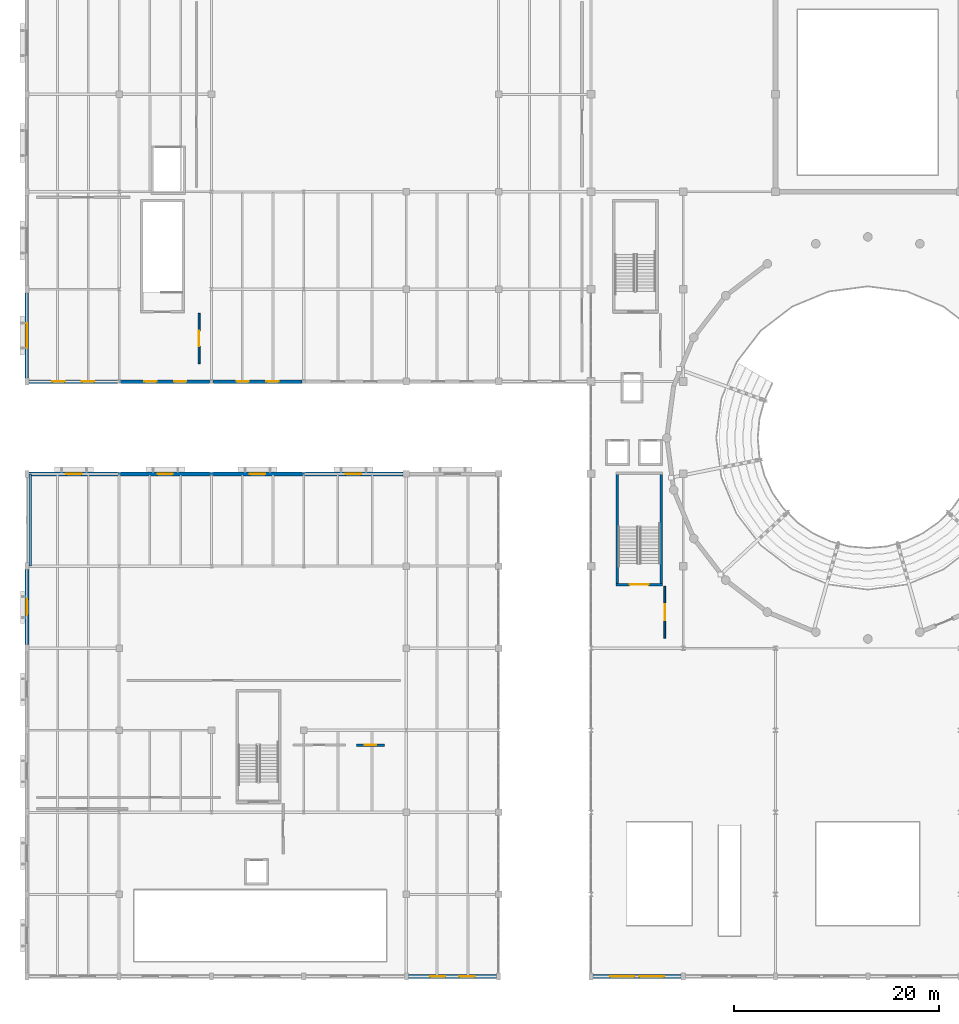
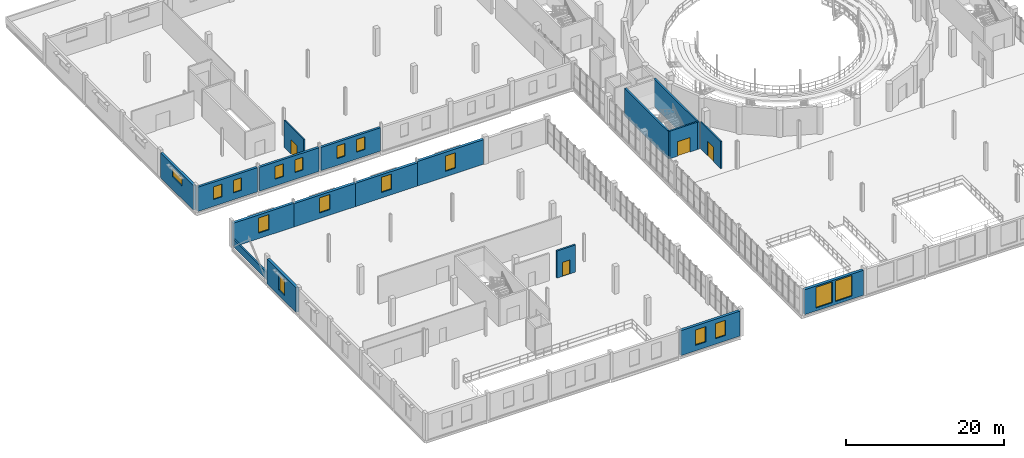
# One storey, part 62 of 85: 18 walls, 16 windows, 4 doors, 20 openings.
"""IFC4 building model written with IfcOpenShell, lengths in metres."""

from ifc_helpers import new_model, si_unit, direction, frame, frame_2d, origin, place, context, subcontext, project, spatial, rectangle, extrude, material, layer, layer_set, type_object, element, fill, save


model = new_model("IFC4")

# Units and contexts
model_context = context("Model", 3, precision=1e-05, world=origin(), true_north=direction((0.0, 1.0)))
body_context = subcontext(model_context, "Body", "Model", "MODEL_VIEW")
ifc_project = project(units=[si_unit("LENGTHUNIT", "METRE"), si_unit("AREAUNIT", "SQUARE_METRE"), si_unit("VOLUMEUNIT", "CUBIC_METRE"), si_unit("PLANEANGLEUNIT", "RADIAN"), si_unit("MASSUNIT", "GRAM", prefix="KILO")], contexts=[model_context])

# Site, building, storey
site_placement = place(None, origin())
site = spatial("IfcSite", under=ifc_project, at=site_placement, CompositionType="ELEMENT")
building_placement = place(site_placement, origin())
building = spatial("IfcBuilding", under=site, at=building_placement, Name="Marnock Terrace Opera House", CompositionType="ELEMENT")
storey_placement = place(building_placement, frame((0.0, 0.0, 10.199951171875)))
storey = spatial("IfcBuildingStorey", under=building, at=storey_placement, Name="L02", CompositionType="ELEMENT", Elevation=10.199951171875)

# Wall, openings, windows
ifc_material_1 = material(Name="Basket Range sandstone ashlar masonry", Category="masonry")
ifc_layer_1 = layer(ifc_material_1, 0.389892578125)
ifc_layer_set_1 = layer_set([ifc_layer_1], Name="Basket Range sandstone ashlar masonry")
wall_type_1 = type_object("IfcWallType", Name="EW-ASHLAR-390", PredefinedType="SOLIDWALL", material=ifc_layer_set_1)
wall_1_placement = place(storey_placement, frame((37.196044921875, 8.0, 0.0), z_axis=(0.0, 0.0, 1.0), x_axis=(1.0, 0.0, 0.0)))
wall_1 = element("IfcWall", 1, at=wall_1_placement, inside=storey, type_object=wall_type_1, Name="L02 Volume 3 south sandstone wall 5", PredefinedType="SOLIDWALL", context=body_context, shape_type="SweptSolid", body=[
    extrude(rectangle(XDim=8.60791015625, YDim=0.389892578125, at=frame_2d((4.303955078125, 0.0))), origin(), (0.0, 0.0, 1.0), 3.8515625),
])
opening_1_placement = place(wall_1_placement, frame((2.119384765625, 0.0, 0.85009765625)))
opening_1 = element("IfcOpeningElement", 2, at=opening_1_placement, cuts=wall_1, Name="Opening WT-84", PredefinedType="OPENING", context=body_context, shape_type="SweptSolid", body=[
    extrude(rectangle(XDim=1.5, YDim=2.35009765625, at=frame_2d((0.75, 1.175048828125))), frame((0.0, 0.204833984375, 0.0), z_axis=(0.0, -1.0, 0.0), x_axis=(1.0, 0.0, 0.0)), (0.0, 0.0, 1.0), 0.409912109375),
])
opening_2_placement = place(wall_1_placement, frame((4.98876953125, 0.0, 0.85009765625)))
opening_2 = element("IfcOpeningElement", 3, at=opening_2_placement, cuts=wall_1, Name="Opening WT-84", PredefinedType="OPENING", context=body_context, shape_type="SweptSolid", body=[
    extrude(rectangle(XDim=1.5, YDim=2.35009765625, at=frame_2d((0.75, 1.175048828125))), frame((0.0, 0.204833984375, 0.0), z_axis=(0.0, -1.0, 0.0), x_axis=(1.0, 0.0, 0.0)), (0.0, 0.0, 1.0), 0.409912109375),
])
ifc_material_2 = material(Name="Double-glazed acoustic low-E laminated glass", Category="glass")
window_type_1 = type_object("IfcWindowType", Name="WT-SUITE-1500", PartitioningType="SINGLE_PANEL", PredefinedType="WINDOW", material=ifc_material_2)
window_1_placement = place(opening_1_placement, origin())
window_1 = element("IfcWindow", 4, at=window_1_placement, inside=storey, type_object=window_type_1, Name="L02 facade window EW-V3S-L02-5.1", OverallHeight=2.35009765625, OverallWidth=1.5, PartitioningType="SINGLE_PANEL", PredefinedType="WINDOW", context=body_context, shape_type="SweptSolid", body=[
    extrude(rectangle(XDim=1.5, YDim=2.35009765625, at=frame_2d((0.75, 1.175048828125))), frame((0.0, 0.030029296875, 0.0), z_axis=(0.0, -1.0, 0.0), x_axis=(1.0, 0.0, 0.0)), (0.0, 0.0, 1.0), 0.06005859375),
])
fill(opening_1, window_1)
window_2_placement = place(opening_2_placement, origin())
window_2 = element("IfcWindow", 5, at=window_2_placement, inside=storey, type_object=window_type_1, Name="L02 facade window EW-V3S-L02-5.2", OverallHeight=2.35009765625, OverallWidth=1.5, PartitioningType="SINGLE_PANEL", PredefinedType="WINDOW", context=body_context, shape_type="SweptSolid", body=[
    extrude(rectangle(XDim=1.5, YDim=2.35009765625, at=frame_2d((0.75, 1.175048828125))), frame((0.0, 0.030029296875, 0.0), z_axis=(0.0, -1.0, 0.0), x_axis=(1.0, 0.0, 0.0)), (0.0, 0.0, 1.0), 0.06005859375),
])
fill(opening_2, window_2)

# Wall, opening, window
wall_2_placement = place(storey_placement, frame((0.0, 40.345947265625, 0.0), z_axis=(0.0, 0.0, 1.0), x_axis=(0.0, 1.0, 0.0)))
wall_2 = element("IfcWall", 6, at=wall_2_placement, inside=storey, type_object=wall_type_1, Name="L02 Volume 3 west sandstone wall 5", PredefinedType="SOLIDWALL", context=body_context, shape_type="SweptSolid", body=[
    extrude(rectangle(XDim=7.30810546875, YDim=0.389892578125, at=frame_2d((3.654052734375, 0.0))), origin(), (0.0, 0.0, 1.0), 3.841552734375),
])
opening_3_placement = place(wall_2_placement, frame((2.904052734375, 0.0, 0.85009765625)))
opening_3 = element("IfcOpeningElement", 7, at=opening_3_placement, cuts=wall_2, Name="Opening WT-84", PredefinedType="OPENING", context=body_context, shape_type="SweptSolid", body=[
    extrude(rectangle(XDim=1.5, YDim=2.35009765625, at=frame_2d((0.75, 1.175048828125))), frame((0.0, 0.204833984375, 0.0), z_axis=(0.0, -1.0, 0.0), x_axis=(1.0, 0.0, 0.0)), (0.0, 0.0, 1.0), 0.409912109375),
])
window_3_placement = place(opening_3_placement, origin())
window_3 = element("IfcWindow", 8, at=window_3_placement, inside=storey, type_object=window_type_1, Name="L02 facade window EW-V3W-L02-5.1", OverallHeight=2.35009765625, OverallWidth=1.5, PartitioningType="SINGLE_PANEL", PredefinedType="WINDOW", context=body_context, shape_type="SweptSolid", body=[
    extrude(rectangle(XDim=1.5, YDim=2.35009765625, at=frame_2d((0.75, 1.175048828125))), frame((0.0, 0.030029296875, 0.0), z_axis=(0.0, -1.0, 0.0), x_axis=(1.0, 0.0, 0.0)), (0.0, 0.0, 1.0), 0.06005859375),
])
fill(opening_3, window_3)

wall_3_placement = place(storey_placement, frame((0.196044921875, 57.0, 0.0), z_axis=(0.0, 0.0, 1.0), x_axis=(1.0, 0.0, 0.0)))
wall_3 = element("IfcWall", 9, at=wall_3_placement, inside=storey, type_object=wall_type_1, Name="L02 Volume 3 north sandstone wall 1", PredefinedType="SOLIDWALL", context=body_context, shape_type="SweptSolid", body=[
    extrude(rectangle(XDim=8.803955078125, YDim=0.389892578125, at=frame_2d((4.40185546875, 0.0))), origin(), (0.0, 0.0, 1.0), 3.6669921875),
])
opening_4_placement = place(wall_3_placement, frame((3.652099609375, 0.0, 0.85009765625)))
opening_4 = element("IfcOpeningElement", 10, at=opening_4_placement, cuts=wall_3, Name="Opening WT-84", PredefinedType="OPENING", context=body_context, shape_type="SweptSolid", body=[
    extrude(rectangle(XDim=1.5, YDim=2.35009765625, at=frame_2d((0.75, 1.175048828125))), frame((0.0, 0.204833984375, 0.0), z_axis=(0.0, -1.0, 0.0), x_axis=(1.0, 0.0, 0.0)), (0.0, 0.0, 1.0), 0.409912109375),
])
window_4_placement = place(opening_4_placement, origin())
window_4 = element("IfcWindow", 11, at=window_4_placement, inside=storey, type_object=window_type_1, Name="L02 facade window EW-V3N-L02-1.1", OverallHeight=2.35009765625, OverallWidth=1.5, PartitioningType="SINGLE_PANEL", PredefinedType="WINDOW", context=body_context, shape_type="SweptSolid", body=[
    extrude(rectangle(XDim=1.5, YDim=2.35009765625, at=frame_2d((0.75, 1.175048828125))), frame((0.0, 0.030029296875, 0.0), z_axis=(0.0, -1.0, 0.0), x_axis=(1.0, 0.0, 0.0)), (0.0, 0.0, 1.0), 0.06005859375),
])
fill(opening_4, window_4)

wall_4_placement = place(storey_placement, frame((9.0, 57.0, 0.0), z_axis=(0.0, 0.0, 1.0), x_axis=(1.0, 0.0, 0.0)))
wall_4 = element("IfcWall", 12, at=wall_4_placement, inside=storey, type_object=wall_type_1, Name="L02 Volume 3 north sandstone wall 2", PredefinedType="SOLIDWALL", context=body_context, shape_type="SweptSolid", body=[
    extrude(rectangle(XDim=9.0, YDim=0.389892578125, at=frame_2d((4.5, 0.0))), origin(), (0.0, 0.0, 1.0), 3.593017578125),
])
opening_5_placement = place(wall_4_placement, frame((3.75, 0.0, 0.85009765625)))
opening_5 = element("IfcOpeningElement", 13, at=opening_5_placement, cuts=wall_4, Name="Opening WT-84", PredefinedType="OPENING", context=body_context, shape_type="SweptSolid", body=[
    extrude(rectangle(XDim=1.5, YDim=2.35009765625, at=frame_2d((0.75, 1.175048828125))), frame((0.0, 0.204833984375, 0.0), z_axis=(0.0, -1.0, 0.0), x_axis=(1.0, 0.0, 0.0)), (0.0, 0.0, 1.0), 0.409912109375),
])
window_5_placement = place(opening_5_placement, origin())
window_5 = element("IfcWindow", 14, at=window_5_placement, inside=storey, type_object=window_type_1, Name="L02 facade window EW-V3N-L02-2.1", OverallHeight=2.35009765625, OverallWidth=1.5, PartitioningType="SINGLE_PANEL", PredefinedType="WINDOW", context=body_context, shape_type="SweptSolid", body=[
    extrude(rectangle(XDim=1.5, YDim=2.35009765625, at=frame_2d((0.75, 1.175048828125))), frame((0.0, 0.030029296875, 0.0), z_axis=(0.0, -1.0, 0.0), x_axis=(1.0, 0.0, 0.0)), (0.0, 0.0, 1.0), 0.06005859375),
])
fill(opening_5, window_5)

wall_5_placement = place(storey_placement, frame((18.0, 57.0, 0.0), z_axis=(0.0, 0.0, 1.0), x_axis=(1.0, 0.0, 0.0)))
wall_5 = element("IfcWall", 15, at=wall_5_placement, inside=storey, type_object=wall_type_1, Name="L02 Volume 3 north sandstone wall 3", PredefinedType="SOLIDWALL", context=body_context, shape_type="SweptSolid", body=[
    extrude(rectangle(XDim=9.0, YDim=0.389892578125, at=frame_2d((4.5, 0.0))), origin(), (0.0, 0.0, 1.0), 3.58837890625),
])
opening_6_placement = place(wall_5_placement, frame((3.75, 0.0, 0.85009765625)))
opening_6 = element("IfcOpeningElement", 16, at=opening_6_placement, cuts=wall_5, Name="Opening WT-84", PredefinedType="OPENING", context=body_context, shape_type="SweptSolid", body=[
    extrude(rectangle(XDim=1.5, YDim=2.35009765625, at=frame_2d((0.75, 1.175048828125))), frame((0.0, 0.204833984375, 0.0), z_axis=(0.0, -1.0, 0.0), x_axis=(1.0, 0.0, 0.0)), (0.0, 0.0, 1.0), 0.409912109375),
])
window_6_placement = place(opening_6_placement, origin())
window_6 = element("IfcWindow", 17, at=window_6_placement, inside=storey, type_object=window_type_1, Name="L02 facade window EW-V3N-L02-3.1", OverallHeight=2.35009765625, OverallWidth=1.5, PartitioningType="SINGLE_PANEL", PredefinedType="WINDOW", context=body_context, shape_type="SweptSolid", body=[
    extrude(rectangle(XDim=1.5, YDim=2.35009765625, at=frame_2d((0.75, 1.175048828125))), frame((0.0, 0.030029296875, 0.0), z_axis=(0.0, -1.0, 0.0), x_axis=(1.0, 0.0, 0.0)), (0.0, 0.0, 1.0), 0.06005859375),
])
fill(opening_6, window_6)

wall_6_placement = place(storey_placement, frame((27.0, 57.0, 0.0), z_axis=(0.0, 0.0, 1.0), x_axis=(1.0, 0.0, 0.0)))
wall_6 = element("IfcWall", 18, at=wall_6_placement, inside=storey, type_object=wall_type_1, Name="L02 Volume 3 north sandstone wall 4", PredefinedType="SOLIDWALL", context=body_context, shape_type="SweptSolid", body=[
    extrude(rectangle(XDim=9.678955078125, YDim=0.389892578125, at=frame_2d((4.83935546875, 0.0))), origin(), (0.0, 0.0, 1.0), 3.79736328125),
])
opening_7_placement = place(wall_6_placement, frame((4.089599609375, 0.0, 0.85009765625)))
opening_7 = element("IfcOpeningElement", 19, at=opening_7_placement, cuts=wall_6, Name="Opening WT-84", PredefinedType="OPENING", context=body_context, shape_type="SweptSolid", body=[
    extrude(rectangle(XDim=1.5, YDim=2.35009765625, at=frame_2d((0.75, 1.175048828125))), frame((0.0, 0.204833984375, 0.0), z_axis=(0.0, -1.0, 0.0), x_axis=(1.0, 0.0, 0.0)), (0.0, 0.0, 1.0), 0.409912109375),
])
window_7_placement = place(opening_7_placement, origin())
window_7 = element("IfcWindow", 20, at=window_7_placement, inside=storey, type_object=window_type_1, Name="L02 facade window EW-V3N-L02-4.1", OverallHeight=2.35009765625, OverallWidth=1.5, PartitioningType="SINGLE_PANEL", PredefinedType="WINDOW", context=body_context, shape_type="SweptSolid", body=[
    extrude(rectangle(XDim=1.5, YDim=2.35009765625, at=frame_2d((0.75, 1.175048828125))), frame((0.0, 0.030029296875, 0.0), z_axis=(0.0, -1.0, 0.0), x_axis=(1.0, 0.0, 0.0)), (0.0, 0.0, 1.0), 0.06005859375),
])
fill(opening_7, window_7)

# Wall, openings, windows
ifc_layer_2 = layer(ifc_material_1, 0.405029296875)
ifc_layer_set_2 = layer_set([ifc_layer_2], Name="Basket Range sandstone ashlar masonry")
wall_type_2 = type_object("IfcWallType", Name="EW-ASHLAR-405", PredefinedType="SOLIDWALL", material=ifc_layer_set_2)
wall_7_placement = place(storey_placement, frame((55.196044921875, 8.0, 0.0), z_axis=(0.0, 0.0, 1.0), x_axis=(1.0, 0.0, 0.0)))
wall_7 = element("IfcWall", 21, at=wall_7_placement, inside=storey, type_object=wall_type_2, Name="L02 Grand Hall south sandstone arcade bay 1", PredefinedType="SOLIDWALL", context=body_context, shape_type="SweptSolid", body=[
    extrude(rectangle(XDim=8.60791015625, YDim=0.405029296875, at=frame_2d((4.303955078125, 0.0))), origin(), (0.0, 0.0, 1.0), 3.8515625),
])
opening_8_placement = place(wall_7_placement, frame((1.669189453125, 0.0, 0.449951171875)))
opening_8 = element("IfcOpeningElement", 22, at=opening_8_placement, cuts=wall_7, Name="Opening WT-13", PredefinedType="OPENING", context=body_context, shape_type="SweptSolid", body=[
    extrude(rectangle(XDim=2.39990234375, YDim=3.199951171875, at=frame_2d((1.199951171875, 1.60009765625))), frame((0.0, 0.21240234375, 0.0), z_axis=(0.0, -1.0, 0.0), x_axis=(1.0, 0.0, 0.0)), (0.0, 0.0, 1.0), 0.425048828125),
])
opening_9_placement = place(wall_7_placement, frame((4.538818359375, 0.0, 0.449951171875)))
opening_9 = element("IfcOpeningElement", 23, at=opening_9_placement, cuts=wall_7, Name="Opening WT-13", PredefinedType="OPENING", context=body_context, shape_type="SweptSolid", body=[
    extrude(rectangle(XDim=2.39990234375, YDim=3.199951171875, at=frame_2d((1.199951171875, 1.60009765625))), frame((0.0, 0.21240234375, 0.0), z_axis=(0.0, -1.0, 0.0), x_axis=(1.0, 0.0, 0.0)), (0.0, 0.0, 1.0), 0.425048828125),
])
window_type_2 = type_object("IfcWindowType", Name="WT-COLOSSAL-2400", PartitioningType="DOUBLE_PANEL_VERTICAL", PredefinedType="WINDOW", material=ifc_material_2)
window_8_placement = place(opening_8_placement, origin())
window_8 = element("IfcWindow", 24, at=window_8_placement, inside=storey, type_object=window_type_2, Name="L02 facade window EW-V1S-L02-1.1", OverallHeight=3.199951171875, OverallWidth=2.39990234375, PartitioningType="SINGLE_PANEL", PredefinedType="WINDOW", context=body_context, shape_type="SweptSolid", body=[
    extrude(rectangle(XDim=2.39990234375, YDim=3.199951171875, at=frame_2d((1.199951171875, 1.60009765625))), frame((0.0, 0.030029296875, 0.0), z_axis=(0.0, -1.0, 0.0), x_axis=(1.0, 0.0, 0.0)), (0.0, 0.0, 1.0), 0.06005859375),
])
fill(opening_8, window_8)
window_9_placement = place(opening_9_placement, origin())
window_9 = element("IfcWindow", 25, at=window_9_placement, inside=storey, type_object=window_type_2, Name="L02 facade window EW-V1S-L02-1.2", OverallHeight=3.199951171875, OverallWidth=2.39990234375, PartitioningType="SINGLE_PANEL", PredefinedType="WINDOW", context=body_context, shape_type="SweptSolid", body=[
    extrude(rectangle(XDim=2.39990234375, YDim=3.199951171875, at=frame_2d((1.199951171875, 1.60009765625))), frame((0.0, 0.030029296875, 0.0), z_axis=(0.0, -1.0, 0.0), x_axis=(1.0, 0.0, 0.0)), (0.0, 0.0, 1.0), 0.06005859375),
])
fill(opening_9, window_9)

# Wall
ifc_material_3 = material(Name="Pale hydraulic lime architectural render on masonry", Category="masonry")
ifc_layer_3 = layer(ifc_material_3, 0.22998046875)
ifc_layer_set_3 = layer_set([ifc_layer_3], Name="Pale hydraulic lime architectural render on masonry")
wall_type_3 = type_object("IfcWallType", Name="EW-PARA-230", PredefinedType="PARAPET", material=ifc_layer_set_3)
wall_8_placement = place(storey_placement, frame((0.320068359375, 48.0, 0.0), z_axis=(0.0, 0.0, 1.0), x_axis=(0.0, 1.0, 0.0)))
element("IfcWall", 26, at=wall_8_placement, inside=storey, type_object=wall_type_3, Name="L02 braced-bay interior spandrel guard upstand UPST-BRACE-V3W-L02", PredefinedType="PARAPET", context=body_context, shape_type="SweptSolid", body=[
    extrude(rectangle(XDim=9.0, YDim=0.22998046875, at=frame_2d((4.5, 0.0))), origin(), (0.0, 0.0, 1.0), 1.150146484375),
])

# Wall, opening, window
ifc_material_4 = material(Name="Carey Gully rusticated stone masonry", Category="masonry")
ifc_layer_4 = layer(ifc_material_4, 0.340087890625)
ifc_layer_set_4 = layer_set([ifc_layer_4], Name="Carey Gully rusticated stone masonry")
wall_type_4 = type_object("IfcWallType", Name="EW-WORK-340", PredefinedType="SOLIDWALL", material=ifc_layer_set_4)
wall_9_placement = place(storey_placement, frame((0.0, 66.345947265625, 0.0), z_axis=(0.0, 0.0, 1.0), x_axis=(0.0, 1.0, 0.0)))
wall_9 = element("IfcWall", 27, at=wall_9_placement, inside=storey, type_object=wall_type_4, Name="L02 Workshops west stone wall 1", PredefinedType="SOLIDWALL", context=body_context, shape_type="SweptSolid", body=[
    extrude(rectangle(XDim=8.30810546875, YDim=0.340087890625, at=frame_2d((4.154052734375, 0.0))), origin(), (0.0, 0.0, 1.0), 3.841552734375),
])
opening_10_placement = place(wall_9_placement, frame((2.9541015625, 0.0, 2.0)))
opening_10 = element("IfcOpeningElement", 28, at=opening_10_placement, cuts=wall_9, Name="Opening WT-132", PredefinedType="OPENING", context=body_context, shape_type="SweptSolid", body=[
    extrude(rectangle(XDim=2.39990234375, YDim=1.25, at=frame_2d((1.199951171875, 0.625))), frame((0.0, 0.179931640625, 0.0), z_axis=(0.0, -1.0, 0.0), x_axis=(1.0, 0.0, 0.0)), (0.0, 0.0, 1.0), 0.360107421875),
])
window_type_3 = type_object("IfcWindowType", Name="WT-CLERESTORY-2400", PartitioningType="DOUBLE_PANEL_VERTICAL", PredefinedType="WINDOW", material=ifc_material_2)
window_10_placement = place(opening_10_placement, origin())
window_10 = element("IfcWindow", 29, at=window_10_placement, inside=storey, type_object=window_type_3, Name="L02 facade window EW-V4W-L02-1.1", OverallHeight=1.25, OverallWidth=2.39990234375, PartitioningType="SINGLE_PANEL", PredefinedType="WINDOW", context=body_context, shape_type="SweptSolid", body=[
    extrude(rectangle(XDim=2.39990234375, YDim=1.25, at=frame_2d((1.199951171875, 0.625))), frame((0.0, 0.030029296875, 0.0), z_axis=(0.0, -1.0, 0.0), x_axis=(1.0, 0.0, 0.0)), (0.0, 0.0, 1.0), 0.06005859375),
])
fill(opening_10, window_10)

# Wall, openings, windows
wall_10_placement = place(storey_placement, frame((0.196044921875, 66.0, 0.0), z_axis=(0.0, 0.0, 1.0), x_axis=(1.0, 0.0, 0.0)))
wall_10 = element("IfcWall", 30, at=wall_10_placement, inside=storey, type_object=wall_type_4, Name="L02 Workshops south courtyard wall 1", PredefinedType="SOLIDWALL", context=body_context, shape_type="SweptSolid", body=[
    extrude(rectangle(XDim=8.654541015625, YDim=0.340087890625, at=frame_2d((4.3271484375, 0.0))), origin(), (0.0, 0.0, 1.0), 3.73974609375),
])
opening_11_placement = place(wall_10_placement, frame((2.284912109375, 0.0, 1.050048828125)))
opening_11 = element("IfcOpeningElement", 31, at=opening_11_placement, cuts=wall_10, Name="Opening WT-35", PredefinedType="OPENING", context=body_context, shape_type="SweptSolid", body=[
    extrude(rectangle(XDim=1.199951171875, YDim=1.949951171875, at=frame_2d((0.60009765625, 0.97509765625))), frame((0.0, 0.179931640625, 0.0), z_axis=(0.0, -1.0, 0.0), x_axis=(1.0, 0.0, 0.0)), (0.0, 0.0, 1.0), 0.360107421875),
])
opening_12_placement = place(wall_10_placement, frame((5.169677734375, 0.0, 1.050048828125)))
opening_12 = element("IfcOpeningElement", 32, at=opening_12_placement, cuts=wall_10, Name="Opening WT-35", PredefinedType="OPENING", context=body_context, shape_type="SweptSolid", body=[
    extrude(rectangle(XDim=1.199951171875, YDim=1.949951171875, at=frame_2d((0.60009765625, 0.97509765625))), frame((0.0, 0.179931640625, 0.0), z_axis=(0.0, -1.0, 0.0), x_axis=(1.0, 0.0, 0.0)), (0.0, 0.0, 1.0), 0.360107421875),
])
window_type_4 = type_object("IfcWindowType", Name="WT-DRESS-1200", PartitioningType="SINGLE_PANEL", PredefinedType="WINDOW", material=ifc_material_2)
window_11_placement = place(opening_11_placement, origin())
window_11 = element("IfcWindow", 33, at=window_11_placement, inside=storey, type_object=window_type_4, Name="L02 facade window EW-V4S-L02-1.1", OverallHeight=1.949951171875, OverallWidth=1.199951171875, PartitioningType="SINGLE_PANEL", PredefinedType="WINDOW", context=body_context, shape_type="SweptSolid", body=[
    extrude(rectangle(XDim=1.199951171875, YDim=1.949951171875, at=frame_2d((0.60009765625, 0.97509765625))), frame((0.0, 0.030029296875, 0.0), z_axis=(0.0, -1.0, 0.0), x_axis=(1.0, 0.0, 0.0)), (0.0, 0.0, 1.0), 0.06005859375),
])
fill(opening_11, window_11)
window_12_placement = place(opening_12_placement, origin())
window_12 = element("IfcWindow", 34, at=window_12_placement, inside=storey, type_object=window_type_4, Name="L02 facade window EW-V4S-L02-1.2", OverallHeight=1.949951171875, OverallWidth=1.199951171875, PartitioningType="SINGLE_PANEL", PredefinedType="WINDOW", context=body_context, shape_type="SweptSolid", body=[
    extrude(rectangle(XDim=1.199951171875, YDim=1.949951171875, at=frame_2d((0.60009765625, 0.97509765625))), frame((0.0, 0.030029296875, 0.0), z_axis=(0.0, -1.0, 0.0), x_axis=(1.0, 0.0, 0.0)), (0.0, 0.0, 1.0), 0.06005859375),
])
fill(opening_12, window_12)

wall_11_placement = place(storey_placement, frame((9.1494140625, 66.0, 0.0), z_axis=(0.0, 0.0, 1.0), x_axis=(1.0, 0.0, 0.0)))
wall_11 = element("IfcWall", 35, at=wall_11_placement, inside=storey, type_object=wall_type_4, Name="L02 Workshops south courtyard wall 2", PredefinedType="SOLIDWALL", context=body_context, shape_type="SweptSolid", body=[
    extrude(rectangle(XDim=8.701171875, YDim=0.340087890625, at=frame_2d((4.3505859375, 0.0))), origin(), (0.0, 0.0, 1.0), 3.6669921875),
])
opening_13_placement = place(wall_11_placement, frame((2.30029296875, 0.0, 1.050048828125)))
opening_13 = element("IfcOpeningElement", 36, at=opening_13_placement, cuts=wall_11, Name="Opening WT-35", PredefinedType="OPENING", context=body_context, shape_type="SweptSolid", body=[
    extrude(rectangle(XDim=1.199951171875, YDim=1.949951171875, at=frame_2d((0.60009765625, 0.97509765625))), frame((0.0, 0.179931640625, 0.0), z_axis=(0.0, -1.0, 0.0), x_axis=(1.0, 0.0, 0.0)), (0.0, 0.0, 1.0), 0.360107421875),
])
opening_14_placement = place(wall_11_placement, frame((5.20068359375, 0.0, 1.050048828125)))
opening_14 = element("IfcOpeningElement", 37, at=opening_14_placement, cuts=wall_11, Name="Opening WT-35", PredefinedType="OPENING", context=body_context, shape_type="SweptSolid", body=[
    extrude(rectangle(XDim=1.199951171875, YDim=1.949951171875, at=frame_2d((0.60009765625, 0.97509765625))), frame((0.0, 0.179931640625, 0.0), z_axis=(0.0, -1.0, 0.0), x_axis=(1.0, 0.0, 0.0)), (0.0, 0.0, 1.0), 0.360107421875),
])
window_13_placement = place(opening_13_placement, origin())
window_13 = element("IfcWindow", 38, at=window_13_placement, inside=storey, type_object=window_type_4, Name="L02 facade window EW-V4S-L02-2.1", OverallHeight=1.949951171875, OverallWidth=1.199951171875, PartitioningType="SINGLE_PANEL", PredefinedType="WINDOW", context=body_context, shape_type="SweptSolid", body=[
    extrude(rectangle(XDim=1.199951171875, YDim=1.949951171875, at=frame_2d((0.60009765625, 0.97509765625))), frame((0.0, 0.030029296875, 0.0), z_axis=(0.0, -1.0, 0.0), x_axis=(1.0, 0.0, 0.0)), (0.0, 0.0, 1.0), 0.06005859375),
])
fill(opening_13, window_13)
window_14_placement = place(opening_14_placement, origin())
window_14 = element("IfcWindow", 39, at=window_14_placement, inside=storey, type_object=window_type_4, Name="L02 facade window EW-V4S-L02-2.2", OverallHeight=1.949951171875, OverallWidth=1.199951171875, PartitioningType="SINGLE_PANEL", PredefinedType="WINDOW", context=body_context, shape_type="SweptSolid", body=[
    extrude(rectangle(XDim=1.199951171875, YDim=1.949951171875, at=frame_2d((0.60009765625, 0.97509765625))), frame((0.0, 0.030029296875, 0.0), z_axis=(0.0, -1.0, 0.0), x_axis=(1.0, 0.0, 0.0)), (0.0, 0.0, 1.0), 0.06005859375),
])
fill(opening_14, window_14)

wall_12_placement = place(storey_placement, frame((18.1494140625, 66.0, 0.0), z_axis=(0.0, 0.0, 1.0), x_axis=(1.0, 0.0, 0.0)))
wall_12 = element("IfcWall", 40, at=wall_12_placement, inside=storey, type_object=wall_type_4, Name="L02 Workshops south courtyard wall 3", PredefinedType="SOLIDWALL", context=body_context, shape_type="SweptSolid", body=[
    extrude(rectangle(XDim=8.701171875, YDim=0.340087890625, at=frame_2d((4.3505859375, 0.0))), origin(), (0.0, 0.0, 1.0), 3.593017578125),
])
opening_15_placement = place(wall_12_placement, frame((2.30029296875, 0.0, 1.050048828125)))
opening_15 = element("IfcOpeningElement", 41, at=opening_15_placement, cuts=wall_12, Name="Opening WT-35", PredefinedType="OPENING", context=body_context, shape_type="SweptSolid", body=[
    extrude(rectangle(XDim=1.199951171875, YDim=1.949951171875, at=frame_2d((0.60009765625, 0.97509765625))), frame((0.0, 0.179931640625, 0.0), z_axis=(0.0, -1.0, 0.0), x_axis=(1.0, 0.0, 0.0)), (0.0, 0.0, 1.0), 0.360107421875),
])
opening_16_placement = place(wall_12_placement, frame((5.20068359375, 0.0, 1.050048828125)))
opening_16 = element("IfcOpeningElement", 42, at=opening_16_placement, cuts=wall_12, Name="Opening WT-35", PredefinedType="OPENING", context=body_context, shape_type="SweptSolid", body=[
    extrude(rectangle(XDim=1.199951171875, YDim=1.949951171875, at=frame_2d((0.60009765625, 0.97509765625))), frame((0.0, 0.179931640625, 0.0), z_axis=(0.0, -1.0, 0.0), x_axis=(1.0, 0.0, 0.0)), (0.0, 0.0, 1.0), 0.360107421875),
])
window_15_placement = place(opening_15_placement, origin())
window_15 = element("IfcWindow", 43, at=window_15_placement, inside=storey, type_object=window_type_4, Name="L02 facade window EW-V4S-L02-3.1", OverallHeight=1.949951171875, OverallWidth=1.199951171875, PartitioningType="SINGLE_PANEL", PredefinedType="WINDOW", context=body_context, shape_type="SweptSolid", body=[
    extrude(rectangle(XDim=1.199951171875, YDim=1.949951171875, at=frame_2d((0.60009765625, 0.97509765625))), frame((0.0, 0.030029296875, 0.0), z_axis=(0.0, -1.0, 0.0), x_axis=(1.0, 0.0, 0.0)), (0.0, 0.0, 1.0), 0.06005859375),
])
fill(opening_15, window_15)
window_16_placement = place(opening_16_placement, origin())
window_16 = element("IfcWindow", 44, at=window_16_placement, inside=storey, type_object=window_type_4, Name="L02 facade window EW-V4S-L02-3.2", OverallHeight=1.949951171875, OverallWidth=1.199951171875, PartitioningType="SINGLE_PANEL", PredefinedType="WINDOW", context=body_context, shape_type="SweptSolid", body=[
    extrude(rectangle(XDim=1.199951171875, YDim=1.949951171875, at=frame_2d((0.60009765625, 0.97509765625))), frame((0.0, 0.030029296875, 0.0), z_axis=(0.0, -1.0, 0.0), x_axis=(1.0, 0.0, 0.0)), (0.0, 0.0, 1.0), 0.06005859375),
])
fill(opening_16, window_16)

# Wall, opening, door
ifc_material_5 = material(Name="Rendered acoustic concrete blockwork", Category="masonry")
ifc_layer_5 = layer(ifc_material_5, 0.175048828125)
ifc_layer_set_5 = layer_set([ifc_layer_5], Name="Rendered acoustic concrete blockwork")
wall_type_5 = type_object("IfcWallType", Name="IW-FIRE-175", PredefinedType="PARTITIONING", material=ifc_layer_set_5)
wall_13_placement = place(storey_placement, frame((62.199951171875, 40.949951171875, 0.0), z_axis=(0.0, 0.0, 1.0), x_axis=(0.0, 1.0, 0.0)))
wall_13 = element("IfcWall", 45, at=wall_13_placement, inside=storey, type_object=wall_type_5, Name="L02 C1 fire-rated lift and stair lobby wall", PredefinedType="PARTITIONING", context=body_context, shape_type="SweptSolid", body=[
    extrude(rectangle(XDim=5.10009765625, YDim=0.175048828125, at=frame_2d((2.550048828125, 0.0))), origin(), (0.0, 0.0, 1.0), 4.18994140625),
])
opening_17_placement = place(wall_13_placement, frame((1.77490234375, 0.0, 0.0)))
opening_17 = element("IfcOpeningElement", 46, at=opening_17_placement, cuts=wall_13, Name="Opening FD-C1-L02", PredefinedType="OPENING", context=body_context, shape_type="SweptSolid", body=[
    extrude(rectangle(XDim=1.550048828125, YDim=2.219970703125, at=frame_2d((0.77490234375, 1.10986328125))), frame((0.0, 0.097412109375, 0.0), z_axis=(0.0, -1.0, 0.0), x_axis=(1.0, 0.0, 0.0)), (0.0, 0.0, 1.0), 0.195068359375),
])
ifc_material_6 = material(Name="Fire-rated acoustic timber-core door assembly", Category="wood")
door_type_1 = type_object("IfcDoorType", Name="DT-LOBBY-1550", OperationType="NOTDEFINED", PredefinedType="DOOR", material=ifc_material_6)
door_1_placement = place(opening_17_placement, origin())
door_1 = element("IfcDoor", 47, at=door_1_placement, inside=storey, type_object=door_type_1, Name="L02 C1 lobby self-closing smoke door", OperationType="SINGLE_SWING_RIGHT", OverallHeight=2.219970703125, OverallWidth=1.550048828125, PredefinedType="DOOR", context=body_context, shape_type="SweptSolid", body=[
    extrude(rectangle(XDim=1.550048828125, YDim=2.219970703125, at=frame_2d((0.77490234375, 1.10986328125))), frame((0.0, 0.02490234375, 0.0), z_axis=(0.0, -1.0, 0.0), x_axis=(1.0, 0.0, 0.0)), (0.0, 0.0, 1.0), 0.050048828125),
])
fill(opening_17, door_1)

wall_14_placement = place(storey_placement, frame((16.800048828125, 67.75, 0.0), z_axis=(0.0, 0.0, 1.0), x_axis=(0.0, 1.0, 0.0)))
wall_14 = element("IfcWall", 48, at=wall_14_placement, inside=storey, type_object=wall_type_5, Name="L02 C7 fire-rated lift and stair lobby wall", PredefinedType="PARTITIONING", context=body_context, shape_type="SweptSolid", body=[
    extrude(rectangle(XDim=4.89990234375, YDim=0.175048828125, at=frame_2d((2.449951171875, 0.0))), origin(), (0.0, 0.0, 1.0), 4.18994140625),
])
opening_18_placement = place(wall_14_placement, frame((1.675048828125, 0.0, 0.0)))
opening_18 = element("IfcOpeningElement", 49, at=opening_18_placement, cuts=wall_14, Name="Opening FD-C7-L02", PredefinedType="OPENING", context=body_context, shape_type="SweptSolid", body=[
    extrude(rectangle(XDim=1.550048828125, YDim=2.219970703125, at=frame_2d((0.77490234375, 1.10986328125))), frame((0.0, 0.097412109375, 0.0), z_axis=(0.0, -1.0, 0.0), x_axis=(1.0, 0.0, 0.0)), (0.0, 0.0, 1.0), 0.195068359375),
])
door_2_placement = place(opening_18_placement, origin())
door_2 = element("IfcDoor", 50, at=door_2_placement, inside=storey, type_object=door_type_1, Name="L02 C7 lobby self-closing smoke door", OperationType="SINGLE_SWING_RIGHT", OverallHeight=2.219970703125, OverallWidth=1.550048828125, PredefinedType="DOOR", context=body_context, shape_type="SweptSolid", body=[
    extrude(rectangle(XDim=1.550048828125, YDim=2.219970703125, at=frame_2d((0.77490234375, 1.10986328125))), frame((0.0, 0.02490234375, 0.0), z_axis=(0.0, -1.0, 0.0), x_axis=(1.0, 0.0, 0.0)), (0.0, 0.0, 1.0), 0.050048828125),
])
fill(opening_18, door_2)

ifc_material_7 = material(Name="Moisture-resistant tiled service duct framing")
ifc_layer_6 = layer(ifc_material_7, 0.264892578125)
ifc_layer_set_6 = layer_set([ifc_layer_6], Name="Moisture-resistant tiled service duct framing")
wall_type_6 = type_object("IfcWallType", Name="IW-PLUMB-265", PredefinedType="PLUMBINGWALL", material=ifc_layer_set_6)
wall_15_placement = place(storey_placement, frame((32.14990234375, 30.550048828125, 0.0), z_axis=(0.0, 0.0, 1.0), x_axis=(1.0, 0.0, 0.0)))
wall_15 = element("IfcWall", 51, at=wall_15_placement, inside=storey, type_object=wall_type_6, Name="L02 Accessible WC L02 West acoustic partition wall", PredefinedType="PLUMBINGWALL", context=body_context, shape_type="SweptSolid", body=[
    extrude(rectangle(XDim=2.7001953125, YDim=0.264892578125, at=frame_2d((1.35009765625, 0.0))), origin(), (0.0, 0.0, 1.0), 4.18994140625),
])
opening_19_placement = place(wall_15_placement, frame((0.7900390625, 0.0, 0.0)))
opening_19 = element("IfcOpeningElement", 52, at=opening_19_placement, cuts=wall_15, Name="Opening D-L02-25", PredefinedType="OPENING", context=body_context, shape_type="SweptSolid", body=[
    extrude(rectangle(XDim=1.1201171875, YDim=2.159912109375, at=frame_2d((0.56005859375, 1.080078125))), frame((0.0, 0.142333984375, 0.0), z_axis=(0.0, -1.0, 0.0), x_axis=(1.0, 0.0, 0.0)), (0.0, 0.0, 1.0), 0.284912109375),
])
ifc_material_8 = material(Name="Solid-core Tasmanian oak acoustic door leaf")
door_type_2 = type_object("IfcDoorType", Name="DT-ACCWC-1120", OperationType="NOTDEFINED", PredefinedType="DOOR", material=ifc_material_8)
door_3_placement = place(opening_19_placement, origin())
door_3 = element("IfcDoor", 53, at=door_3_placement, inside=storey, type_object=door_type_2, Name="L02 Accessible WC L02 West entrance door", OperationType="SINGLE_SWING_LEFT", OverallHeight=2.159912109375, OverallWidth=1.1201171875, PredefinedType="DOOR", context=body_context, shape_type="SweptSolid", body=[
    extrude(rectangle(XDim=1.1201171875, YDim=2.159912109375, at=frame_2d((0.56005859375, 1.080078125))), frame((0.0, 0.02490234375, 0.0), z_axis=(0.0, -1.0, 0.0), x_axis=(1.0, 0.0, 0.0)), (0.0, 0.0, 1.0), 0.050048828125),
])
fill(opening_19, door_3)

ifc_material_9 = material(Name="Concrete N40 (f'c = 40 MPa)", Category="concrete")
ifc_layer_7 = layer(ifc_material_9, 0.25)
ifc_layer_set_7 = layer_set([ifc_layer_7], Name="Concrete N40 (f'c = 40 MPa)")
wall_type_7 = type_object("IfcWallType", Name="SW-CORE-250", PredefinedType="SHEAR", material=ifc_layer_set_7)
wall_16_placement = place(storey_placement, frame((57.43505859375, 46.199951171875, 0.0), z_axis=(0.0, 0.0, 1.0), x_axis=(1.0, 0.0, 0.0)))
wall_16 = element("IfcWall", 54, at=wall_16_placement, inside=storey, type_object=wall_type_7, Name="L02 Core C1 FRL 120/120/120 shear wall S", PredefinedType="SHEAR", context=body_context, shape_type="SweptSolid", body=[
    extrude(rectangle(XDim=4.530029296875, YDim=0.25, at=frame_2d((2.26513671875, 0.0))), origin(), (0.0, 0.0, 1.0), 4.239990234375),
])
opening_20_placement = place(wall_16_placement, frame((1.340087890625, 0.0, 0.0)))
opening_20 = element("IfcOpeningElement", 55, at=opening_20_placement, cuts=wall_16, Name="Opening SD-C1-L02", PredefinedType="OPENING", context=body_context, shape_type="SweptSolid", body=[
    extrude(rectangle(XDim=1.85009765625, YDim=2.25, at=frame_2d((0.925048828125, 1.125))), frame((0.0, 0.135009765625, 0.0), z_axis=(0.0, -1.0, 0.0), x_axis=(1.0, 0.0, 0.0)), (0.0, 0.0, 1.0), 0.27001953125),
])
door_type_3 = type_object("IfcDoorType", Name="DT-STAIR-1850", OperationType="NOTDEFINED", PredefinedType="DOOR", material=ifc_material_6)
door_4_placement = place(opening_20_placement, origin())
door_4 = element("IfcDoor", 56, at=door_4_placement, inside=storey, type_object=door_type_3, Name="L02 Stair ST-01 fire-isolated exit door", OperationType="SINGLE_SWING_LEFT", OverallHeight=2.25, OverallWidth=1.85009765625, PredefinedType="DOOR", context=body_context, shape_type="SweptSolid", body=[
    extrude(rectangle(XDim=1.85009765625, YDim=2.25, at=frame_2d((0.925048828125, 1.125))), frame((0.0, 0.02490234375, 0.0), z_axis=(0.0, -1.0, 0.0), x_axis=(1.0, 0.0, 0.0)), (0.0, 0.0, 1.0), 0.050048828125),
])
fill(opening_20, door_4)

# Walls
for number, where, z_axis, x_axis, name in (
    (57, (57.56005859375, 46.074951171875, 0.0), (0.0, 0.0, 1.0), (0.0, 1.0, 0.0), "L02 Core C1 FRL 120/120/120 shear wall W"),
    (58, (61.840087890625, 46.074951171875, 0.0), (0.0, 0.0, 1.0), (0.0, 1.0, 0.0), "L02 Core C1 FRL 120/120/120 shear wall E"),
):
    element("IfcWall", number, at=place(storey_placement, frame(where, z_axis=z_axis, x_axis=x_axis)), inside=storey, type_object=wall_type_7, Name=name, PredefinedType="SHEAR", context=body_context, shape_type="SweptSolid", body=[
        extrude(rectangle(XDim=11.090087890625, YDim=0.25, at=frame_2d((5.544921875, 0.0))), origin(), (0.0, 0.0, 1.0), 4.239990234375),
    ])

save(model, "model.ifc")
